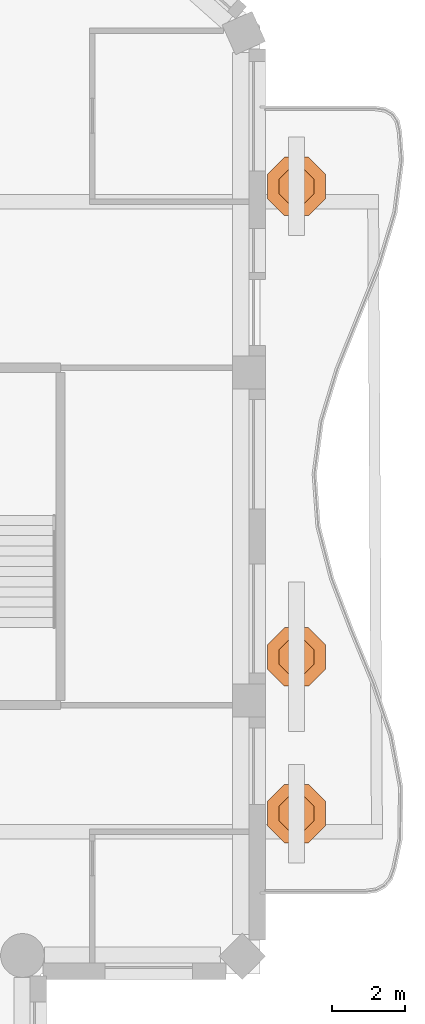
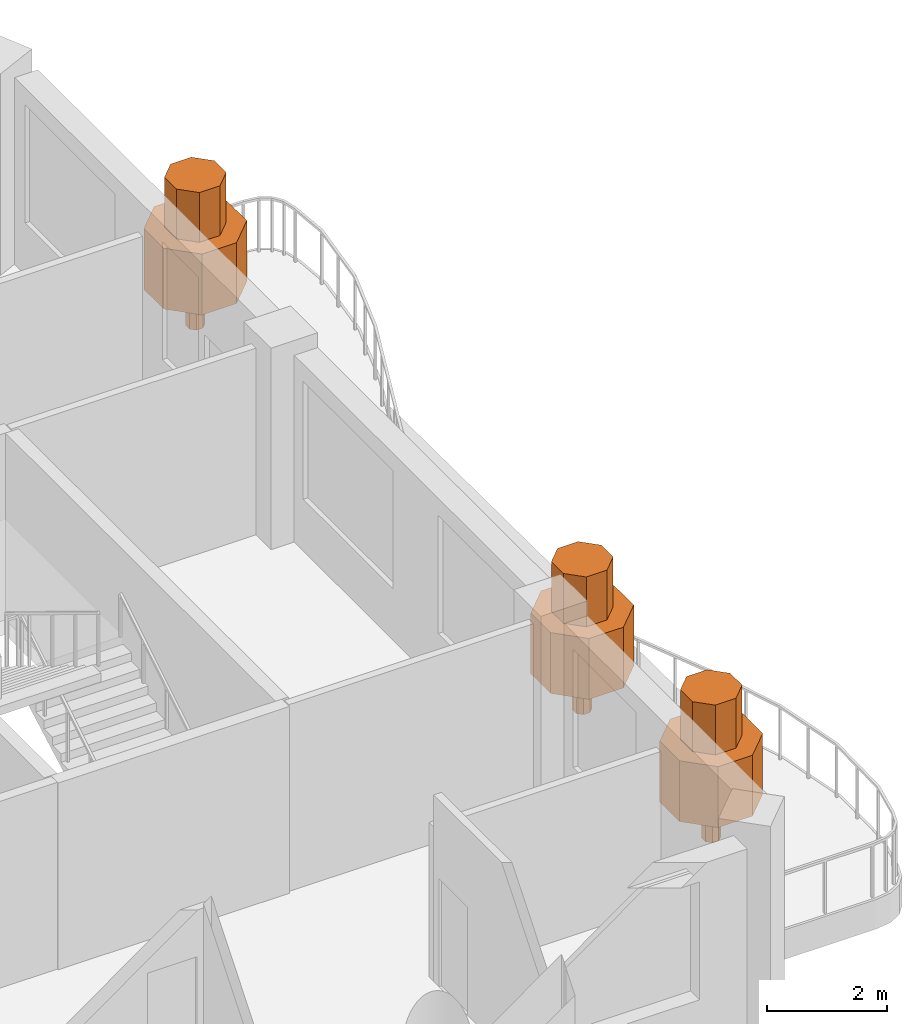
# One storey, part 15 of 15: 3 geographic elements.
"""IFC4 building model written with IfcOpenShell, lengths in metres."""

from ifc_helpers import new_model, si_unit, direction, frame, origin, place, context, subcontext, project, spatial, polyline, outline, extrude, material, type_object, element, save


model = new_model("IFC4")

# Units and contexts
model_context = context("Model", 3, precision=1e-05, world=origin(), true_north=direction((0.0, 1.0)))
body_context = subcontext(model_context, "Body", "Model", "MODEL_VIEW")
ifc_project = project(units=[si_unit("LENGTHUNIT", "METRE"), si_unit("AREAUNIT", "SQUARE_METRE"), si_unit("VOLUMEUNIT", "CUBIC_METRE"), si_unit("PLANEANGLEUNIT", "RADIAN"), si_unit("MASSUNIT", "GRAM", prefix="KILO")], contexts=[model_context])

# Site, building, storey
site_placement = place(None, origin())
site = spatial("IfcSite", under=ifc_project, at=site_placement, CompositionType="ELEMENT")
building_placement = place(site_placement, origin())
building = spatial("IfcBuilding", under=site, at=building_placement, Name="Cypress Arch Tower", CompositionType="ELEMENT")
storey_placement = place(building_placement, frame((0.0, 0.0, 317.199951171875)))
storey = spatial("IfcBuildingStorey", under=building, at=storey_placement, Name="L72", CompositionType="ELEMENT", Elevation=317.199951171875)

# Geographic elements
ifc_material = material(Name="Foliage and planting")
geographic_element_type = type_object("IfcGeographicElementType", Name="Balcony tree TR", PredefinedType="USERDEFINED", material=ifc_material)
for number, where, z_axis, x_axis, name in (
    (1, (25.60009765625, -7.60009765625, 0.60009765625), (0.0, 0.0, 1.0), (1.0, 0.0, 0.0), "Balcony tree L72-C17.1"),
    (2, (25.60009765625, -3.300048828125, 0.60009765625), (0.0, 0.0, 1.0), (1.0, 0.0, 0.0), "Balcony tree L72-C17.2"),
    (3, (25.60009765625, 9.60009765625, 0.60009765625), (0.0, 0.0, 1.0), (1.0, 0.0, 0.0), "Balcony tree L72-C17.3"),
):
    element("IfcGeographicElement", number, at=place(storey_placement, frame(where, z_axis=z_axis, x_axis=x_axis)), inside=storey, type_object=geographic_element_type, Name=name, ObjectType="TREE", PredefinedType="USERDEFINED", context=body_context, shape_type="SweptSolid", body=[
        extrude(outline(polyline([(0.14990234375, 0.06201171875), (0.06201171875, 0.14990234375), (-0.06201171875, 0.14990234375), (-0.14990234375, 0.06201171875), (-0.14990234375, -0.06201171875), (-0.06201171875, -0.14990234375), (0.06201171875, -0.14990234375), (0.14990234375, -0.06201171875), (0.14990234375, 0.06201171875)])), origin(), (0.0, 0.0, 1.0), 0.89990234375),
        extrude(outline(polyline([(0.800048828125, 0.331298828125), (0.331298828125, 0.800048828125), (-0.331298828125, 0.800048828125), (-0.800048828125, 0.331298828125), (-0.800048828125, -0.331298828125), (-0.331298828125, -0.800048828125), (0.331298828125, -0.800048828125), (0.800048828125, -0.331298828125), (0.800048828125, 0.331298828125)])), frame((0.0, 0.0, 0.800048828125)), (0.0, 0.0, 1.0), 1.237548828125),
        extrude(outline(polyline([(0.47998046875, 0.19873046875), (0.19873046875, 0.47998046875), (-0.19873046875, 0.47998046875), (-0.47998046875, 0.19873046875), (-0.47998046875, -0.19873046875), (-0.19873046875, -0.47998046875), (0.19873046875, -0.47998046875), (0.47998046875, -0.19873046875), (0.47998046875, 0.19873046875)])), frame((0.0, 0.0, 2.03759765625)), (0.0, 0.0, 1.0), 1.012451171875),
    ])

save(model, "model.ifc")
